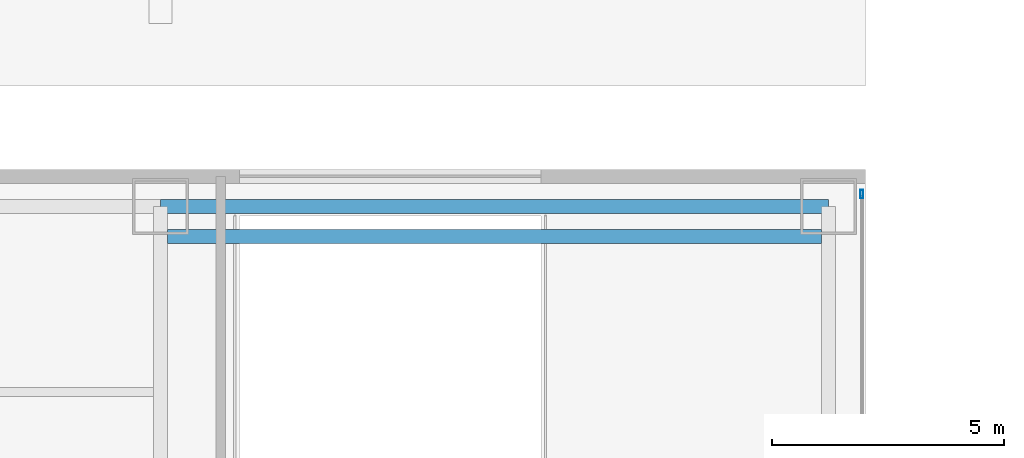
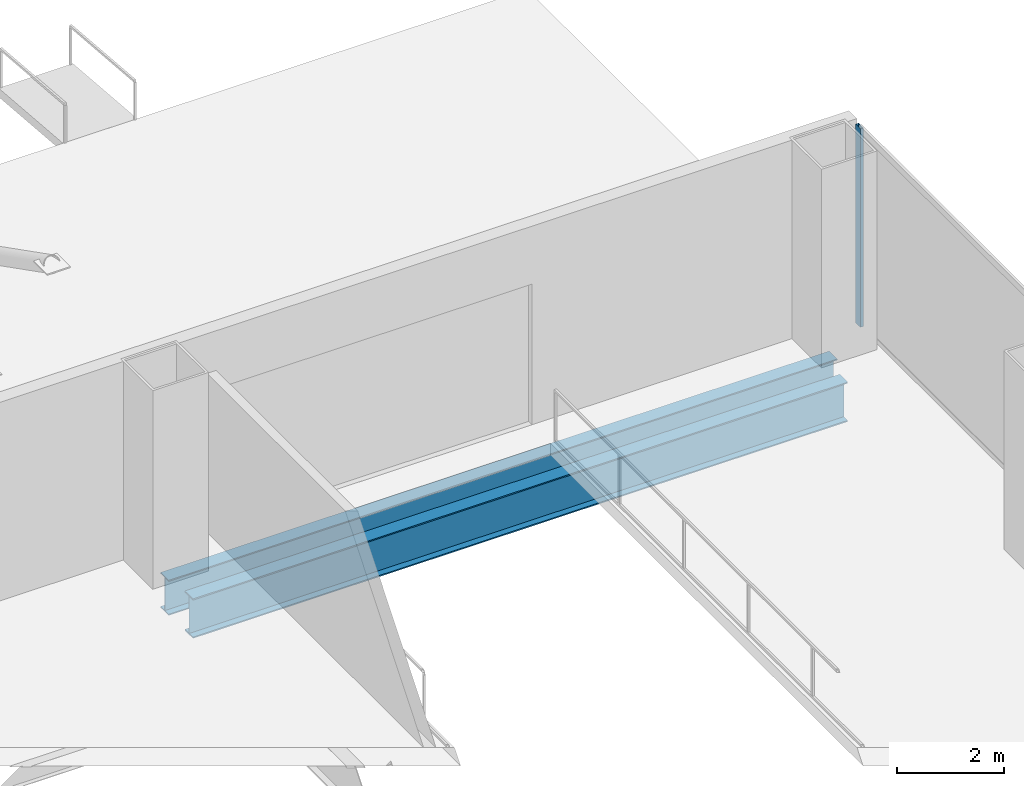
# One storey, part 45 of 58: 2 beams, 1 member, 1 element without a shape of its own.
"""IFC4 building model written with IfcOpenShell, lengths in metres."""

import ifcopenshell
import ifcopenshell.guid

model = None  # the IFC model being written
_history = None  # IfcOwnerHistory: only IFC2X3 demands one
_inside = {}  # id of a spatial element -> (the spatial element, [elements in it])
_under = {}  # id of a project, library or spatial element -> (it, [spatial elements below it])
_declared = {}  # id of a project -> (the project, [libraries it declares])
_typed = {}  # id of a type object -> (the type object, [elements of that type])
_made_of = {}  # id of a material, layer set ... -> (it, [elements and type objects made of it])


def new_model(schema):
    """Start an empty IFC model of exactly this schema.

    Asked for "IFC4X3", IfcOpenShell would pick the latest addendum, in which some entities
    have other attributes; the version numbers below select the first issue.
    IFC2X3 requires an IfcOwnerHistory on every rooted entity: one is made here for all.
    """
    global model, _history
    if schema == "IFC4X3":
        model = ifcopenshell.file(schema_version=(4, 3, 0, 0))
    else:
        model = ifcopenshell.file(schema=schema)
    _inside.clear()
    _under.clear()
    _declared.clear()
    _typed.clear()
    _made_of.clear()
    _history = None
    if model.schema == "IFC2X3":
        org = make("IfcOrganization", Name="unknown")
        user = make(
            "IfcPersonAndOrganization",
            ThePerson=make("IfcPerson", FamilyName="unknown"),
            TheOrganization=org,
        )
        app = make(
            "IfcApplication",
            ApplicationDeveloper=org,
            Version="unknown",
            ApplicationFullName="unknown",
            ApplicationIdentifier="unknown",
        )
        _history = make(
            "IfcOwnerHistory",
            OwningUser=user,
            OwningApplication=app,
            ChangeAction="ADDED",
            CreationDate=0,
        )
    return model


def make(cls, **values):
    """One entity of the class cls with the attributes given. An attribute that is None is left unset."""
    return model.create_entity(
        cls, **{name: value for name, value in values.items() if value is not None}
    )


def rooted(cls, **values):
    """An entity with a GlobalId (a new one), such as an element, a storey or a relation."""
    return make(cls, GlobalId=ifcopenshell.guid.new(), OwnerHistory=_history, **values)


def si_unit(unit_type, name, prefix=None):
    """IfcSIUnit, for example si_unit("LENGTHUNIT", "METRE", prefix="MILLI")."""
    return make("IfcSIUnit", UnitType=unit_type, Prefix=prefix, Name=name)


def assignment(units):
    """IfcUnitAssignment: the units of a project."""
    return None if units is None else make("IfcUnitAssignment", Units=units)


def point(xyz):
    """IfcCartesianPoint."""
    return None if xyz is None else make("IfcCartesianPoint", Coordinates=xyz)


def direction(xyz):
    """IfcDirection."""
    return None if xyz is None else make("IfcDirection", DirectionRatios=xyz)


def frame(location, z_axis=None, x_axis=None):
    """IfcAxis2Placement3D, a coordinate frame: its origin and axes. An axis left out is left unset."""
    return make(
        "IfcAxis2Placement3D",
        Location=point(location),
        Axis=direction(z_axis),
        RefDirection=direction(x_axis),
    )


def frame_2d(location, x_axis=None):
    """IfcAxis2Placement2D, a coordinate frame in the plane: its origin and x axis."""
    return make(
        "IfcAxis2Placement2D", Location=point(location), RefDirection=direction(x_axis)
    )


def origin():
    """The frame at (0, 0, 0) with its axes left unset."""
    return frame((0.0, 0.0, 0.0))


def origin_2d():
    """The frame at (0, 0) in the plane with its x axis left unset."""
    return frame_2d((0.0, 0.0))


def place(relative_to, where):
    """IfcLocalPlacement: puts the frame where relative to a parent placement (None: the world)."""
    return make(
        "IfcLocalPlacement", PlacementRelTo=relative_to, RelativePlacement=where
    )


def context(
    kind, dimensions, precision=None, world=None, true_north=None, identifier=None
):
    """IfcGeometricRepresentationContext, for example the 3D "Model" context."""
    return make(
        "IfcGeometricRepresentationContext",
        ContextIdentifier=identifier,
        ContextType=kind,
        CoordinateSpaceDimension=dimensions,
        Precision=precision,
        WorldCoordinateSystem=world,
        TrueNorth=true_north,
    )


def subcontext(parent, identifier, kind, view, scale=None):
    """IfcGeometricRepresentationSubContext, for example "Body" below "Model"."""
    return make(
        "IfcGeometricRepresentationSubContext",
        ContextIdentifier=identifier,
        ContextType=kind,
        ParentContext=parent,
        TargetScale=scale,
        TargetView=view,
    )


def project(units=None, contexts=None):
    """IfcProject with its units and contexts."""
    return rooted(
        "IfcProject",
        Name="project",
        RepresentationContexts=contexts,
        UnitsInContext=assignment(units),
    )


def spatial(cls, under=None, at=None, **own):
    """A site, building, storey or space (cls), placed at a placement, below another one or the project."""
    s = rooted(cls, ObjectPlacement=at, **own)
    if under is not None:
        _under.setdefault(under.id(), (under, []))[1].append(s)
    return s


def profile(cls, at=None, kind="AREA", **sizes):
    """A parametric profile (cls). Its sizes go by their IFC names, for example OverallWidth=200.0."""
    return make(cls, ProfileType=kind, Position=at, **sizes)


def hollow_rectangle(**sizes):
    """IfcRectangleHollowProfileDef."""
    return profile("IfcRectangleHollowProfileDef", **sizes)


def i_section(**sizes):
    """IfcIShapeProfileDef."""
    return profile("IfcIShapeProfileDef", **sizes)


def extrude(swept, where, along, depth):
    """IfcExtrudedAreaSolid: the profile swept, set in the frame where, extruded along a direction by depth."""
    return make(
        "IfcExtrudedAreaSolid",
        SweptArea=swept,
        Position=where,
        ExtrudedDirection=direction(along),
        Depth=depth,
    )


def shape(context_of_items, identifier, shape_type, items):
    """IfcShapeRepresentation: the items that make up one representation, for example the "Body"."""
    return make(
        "IfcShapeRepresentation",
        ContextOfItems=context_of_items,
        RepresentationIdentifier=identifier,
        RepresentationType=shape_type,
        Items=items,
    )


def source(mapping_origin, context_of_items, identifier, shape_type, items):
    """IfcRepresentationMap: a shape defined once, which mapped items show again and again."""
    return make(
        "IfcRepresentationMap",
        MappingOrigin=mapping_origin,
        MappedRepresentation=shape(context_of_items, identifier, shape_type, items),
    )


def transform(
    local_origin,
    x_axis=None,
    y_axis=None,
    z_axis=None,
    scale=None,
    scale2=None,
    scale3=None,
    uniform=True,
):
    """IfcCartesianTransformationOperator3D, or its non-uniform kind. x_axis, y_axis, z_axis: its Axis1, 2, 3."""
    if uniform:
        return make(
            "IfcCartesianTransformationOperator3D",
            Axis1=direction(x_axis),
            Axis2=direction(y_axis),
            LocalOrigin=point(local_origin),
            Scale=scale,
            Axis3=direction(z_axis),
        )
    return make(
        "IfcCartesianTransformationOperator3DnonUniform",
        Axis1=direction(x_axis),
        Axis2=direction(y_axis),
        LocalOrigin=point(local_origin),
        Scale=scale,
        Axis3=direction(z_axis),
        Scale2=scale2,
        Scale3=scale3,
    )


def mapped(mapping_source, mapping_target):
    """IfcMappedItem: shows the shape of a source again, moved by a transform."""
    return make(
        "IfcMappedItem", MappingSource=mapping_source, MappingTarget=mapping_target
    )


def material(Name=None, Category=None):
    """IfcMaterial."""
    return make("IfcMaterial", Name=Name, Category=Category)


def layer(
    of_material, thickness, ventilated=None, Name=None, Category=None, Priority=None
):
    """IfcMaterialLayer: one layer of a wall or slab, of a material (None: an air gap)."""
    return make(
        "IfcMaterialLayer",
        Material=of_material,
        LayerThickness=thickness,
        IsVentilated=ventilated,
        Name=Name,
        Category=Category,
        Priority=Priority,
    )


def layer_set(layers, Name=None):
    """IfcMaterialLayerSet."""
    return make("IfcMaterialLayerSet", MaterialLayers=layers, LayerSetName=Name)


def material_profile(
    of_material, cross_section, Name=None, Category=None, Priority=None
):
    """IfcMaterialProfile: a cross section and its material."""
    return make(
        "IfcMaterialProfile",
        Name=Name,
        Material=of_material,
        Profile=cross_section,
        Priority=Priority,
        Category=Category,
    )


def profile_set(profiles, Name=None, composite=None):
    """IfcMaterialProfileSet."""
    return make(
        "IfcMaterialProfileSet",
        Name=Name,
        MaterialProfiles=profiles,
        CompositeProfile=composite,
    )


def made_of(thing, what):
    """Note that an element or type object is made of a material, layer set ...; save() writes the relation."""
    if what is not None:
        _made_of.setdefault(what.id(), (what, []))[1].append(thing)
    return thing


def type_object(cls, material=None, **own):
    """A type object (cls), such as IfcWallType, which elements share."""
    return made_of(rooted(cls, **own), material)


def element(
    cls,
    number,
    at=None,
    inside=None,
    cuts=None,
    type_object=None,
    material=None,
    context=None,
    identifier="Body",
    shape_type=None,
    held_by="IfcProductDefinitionShape",
    body=None,
    shapes=None,
    **own,
):
    """One element of the class cls, such as IfcWall. Its Tag is "e" and its number.

    at: its placement. inside: the storey or other place that contains it. cuts: it is an
    opening in that element (IfcRelVoidsElement). A single representation is given by context,
    identifier, shape_type and body (its items); several are given by shapes. held_by: the class
    of the entity that holds the representations. save() writes the other relations.
    """
    e = rooted(cls, Tag="e%d" % number, ObjectPlacement=at, **own)
    if body is not None:
        shapes = [shape(context, identifier, shape_type, body)]
    if shapes is not None:
        e.Representation = make(held_by, Representations=shapes)
    if inside is not None:
        _inside.setdefault(inside.id(), (inside, []))[1].append(e)
    if cuts is not None:
        rooted(
            "IfcRelVoidsElement", RelatingBuildingElement=cuts, RelatedOpeningElement=e
        )
    if type_object is not None:
        _typed.setdefault(type_object.id(), (type_object, []))[1].append(e)
    return made_of(e, material)


def aggregate(whole, parts):
    """IfcRelAggregates: a whole, such as a stair, and the parts it consists of."""
    return rooted("IfcRelAggregates", RelatingObject=whole, RelatedObjects=parts)


def save(model, path):
    """Write the relations noted so far, then the file.

    IfcRelAggregates (storeys below a building ...), IfcRelContainedInSpatialStructure (elements
    in a storey), IfcRelDefinesByType, IfcRelAssociatesMaterial and IfcRelDeclares: one each for
    every whole, place, type object, material and project.
    """
    for whole, parts in _under.values():
        aggregate(whole, parts)
    for where, things in _inside.values():
        rooted(
            "IfcRelContainedInSpatialStructure",
            RelatedElements=things,
            RelatingStructure=where,
        )
    for kind, things in _typed.values():
        rooted("IfcRelDefinesByType", RelatedObjects=things, RelatingType=kind)
    for what, things in _made_of.values():
        rooted("IfcRelAssociatesMaterial", RelatedObjects=things, RelatingMaterial=what)
    for by, libraries in _declared.values():
        rooted("IfcRelDeclares", RelatingContext=by, RelatedDefinitions=libraries)
    model.write(path)


model = new_model("IFC4")

# Units and contexts
model_context = context("Model", 3, precision=1e-05, world=origin(), true_north=direction((0.0, 1.0)))
body_context = subcontext(model_context, "Body", "Model", "MODEL_VIEW")
ifc_project = project(units=[si_unit("LENGTHUNIT", "METRE"), si_unit("AREAUNIT", "SQUARE_METRE"), si_unit("VOLUMEUNIT", "CUBIC_METRE"), si_unit("PLANEANGLEUNIT", "RADIAN"), si_unit("MASSUNIT", "GRAM", prefix="KILO"), si_unit("THERMODYNAMICTEMPERATUREUNIT", "KELVIN"), si_unit("POWERUNIT", "WATT")], contexts=[model_context])

# Site, building, storey
site_placement = place(None, origin())
site = spatial("IfcSite", under=ifc_project, at=site_placement, CompositionType="ELEMENT")
building_placement = place(site_placement, origin())
building = spatial("IfcBuilding", under=site, at=building_placement, Name="Yunzhuo Pagoda Commons", CompositionType="ELEMENT")
storey_placement = place(building_placement, origin())
storey = spatial("IfcBuildingStorey", under=building, at=storey_placement, Name="L01", CompositionType="ELEMENT", Elevation=0.0)

# Beams
ifc_material_1 = material(Name="Structural steel Q355B", Category="steel")
ifc_material_profile_1 = material_profile(ifc_material_1, i_section(OverallWidth=0.300048828125, OverallDepth=0.89990234375, WebThickness=0.01611328125, FlangeThickness=0.028076171875, at=origin_2d()), Name="Structural steel Q355B")
ifc_profile_set_1 = profile_set([ifc_material_profile_1], Name="Structural steel Q355B")
beam_type_1 = type_object("IfcBeamType", Name="B-PD1 Beam HN 900x300x16x28", PredefinedType="BEAM", material=ifc_profile_set_1)
shared_shape_1 = source(origin(), body_context, "Body", "SweptSolid", [
    extrude(i_section(OverallWidth=0.300048828125, OverallDepth=0.89990234375, WebThickness=0.01611328125, FlangeThickness=0.028076171875, at=origin_2d()), origin(), (0.0, 0.0, 1.0), 14.10009765625),
])
beam_1_placement = place(storey_placement, frame((76.949951171875, 88.550048828125, -0.81005859375), z_axis=(1.0, 0.0, 0.0), x_axis=(0.0, 1.0, 0.0)))
element("IfcBeam", 1, at=beam_1_placement, inside=storey, type_object=beam_type_1, Name="L01 vehicle ramp head support girder", PredefinedType="BEAM", context=body_context, shape_type="MappedRepresentation", body=[
    mapped(shared_shape_1, transform((0.0, 0.0, 0.0), scale=1.0)),
])
ifc_material_profile_2 = material_profile(ifc_material_1, i_section(OverallWidth=0.300048828125, OverallDepth=0.800048828125, WebThickness=0.013916015625, FlangeThickness=0.02587890625, at=origin_2d()), Name="Structural steel Q355B")
ifc_profile_set_2 = profile_set([ifc_material_profile_2], Name="Structural steel Q355B")
beam_type_2 = type_object("IfcBeamType", Name="B-PD2 Beam HN 800x300x14x26", PredefinedType="BEAM", material=ifc_profile_set_2)
shared_shape_2 = source(origin(), body_context, "Body", "SweptSolid", [
    extrude(i_section(OverallWidth=0.300048828125, OverallDepth=0.800048828125, WebThickness=0.013916015625, FlangeThickness=0.02587890625, at=origin_2d()), origin(), (0.0, 0.0, 1.0), 14.39990234375),
])
beam_2_placement = place(storey_placement, frame((76.800048828125, 89.199951171875, -0.679931640625), z_axis=(1.0, 0.0, 0.0), x_axis=(0.0, 1.0, 0.0)))
element("IfcBeam", 2, at=beam_2_placement, inside=storey, type_object=beam_type_2, Name="L01 podium girder EW 6.5", PredefinedType="BEAM", context=body_context, shape_type="MappedRepresentation", body=[
    mapped(shared_shape_2, transform((0.0, 0.0, 0.0), scale=1.0)),
])

# Curtain wall, member
ifc_material_2 = material(Name="Anodized aluminium 6063-T6", Category="aluminium")
ifc_layer = layer(ifc_material_2, 0.179931640625)
ifc_layer_set = layer_set([ifc_layer], Name="Anodized aluminium 6063-T6")
curtain_wall_type = type_object("IfcCurtainWallType", Name="CW-POD Waterfront Podium Curtain Wall", PredefinedType="NOTDEFINED", material=ifc_layer_set)
curtain_wall_placement = place(storey_placement, origin())
curtain_wall = element("IfcCurtainWall", 3, at=curtain_wall_placement, inside=storey, type_object=curtain_wall_type, Name="L01 curtain wall CW-L01-E5", PredefinedType="NOTDEFINED")
ifc_material_profile_3 = material_profile(ifc_material_2, hollow_rectangle(XDim=0.06494140625, YDim=0.179931640625, WallThickness=0.00390625, at=origin_2d()), Name="Anodized aluminium 6063-T6")
ifc_profile_set_3 = profile_set([ifc_material_profile_3], Name="Anodized aluminium 6063-T6")
member_type = type_object("IfcMemberType", Name="CW-POD-M Mullion RHS 180x65x4", PredefinedType="MULLION", material=ifc_profile_set_3)
shared_shape_3 = source(origin(), body_context, "Body", "SweptSolid", [
    extrude(hollow_rectangle(XDim=0.06494140625, YDim=0.179931640625, WallThickness=0.00390625, at=origin_2d()), origin(), (0.0, 0.0, 1.0), 4.520263671875),
])
member_placement = place(storey_placement, frame((91.919921875, 89.467529296875, 0.0), z_axis=(0.0, 0.0, 1.0), x_axis=(-1.0, 0.0, 0.0)))
member = element("IfcMember", 4, at=member_placement, type_object=member_type, Name="CW mullion 2", PredefinedType="MULLION", context=body_context, shape_type="MappedRepresentation", body=[
    mapped(shared_shape_3, transform((0.0, 0.0, 0.0), scale=1.0)),
])
aggregate(curtain_wall, [member])

save(model, "model.ifc")
